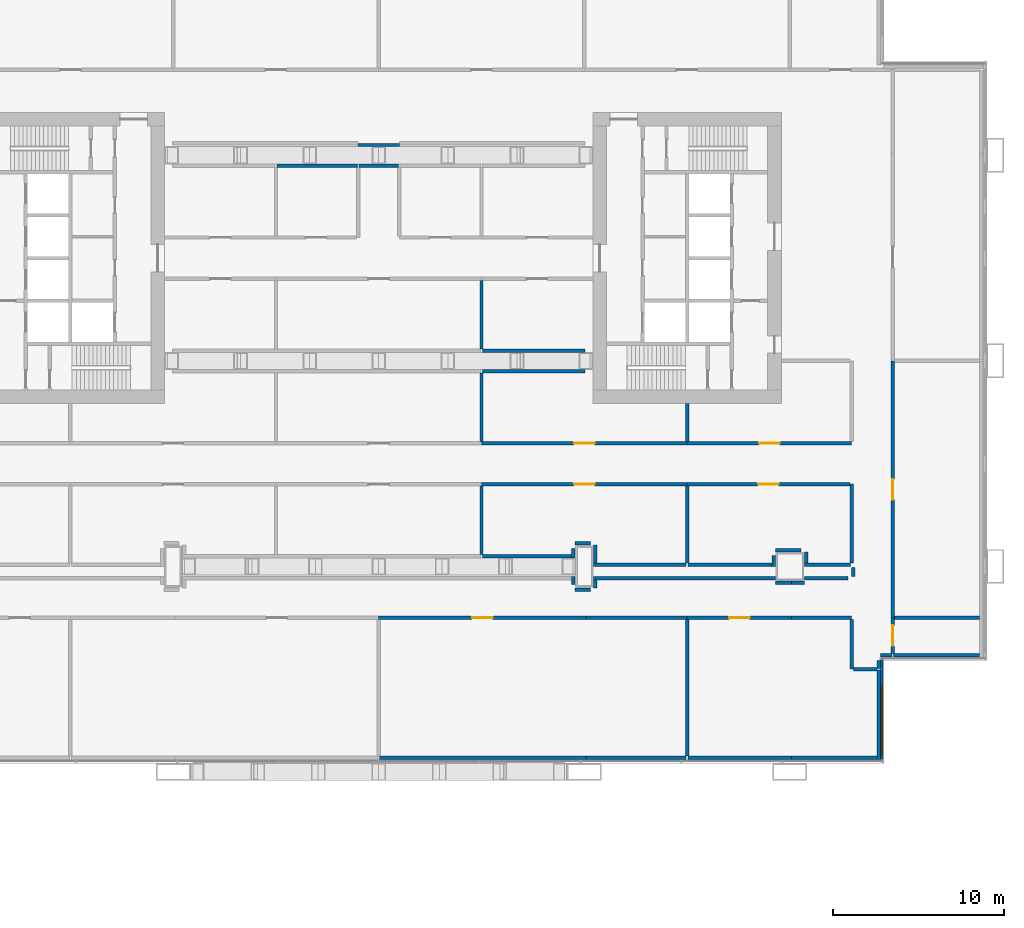
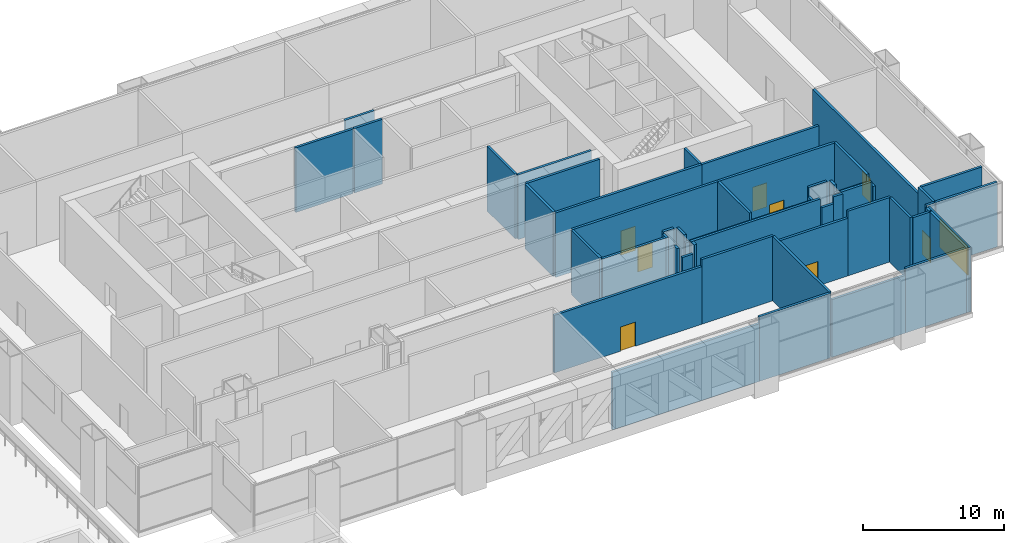
# One storey, part 23 of 27: 52 walls, 8 doors, 1 window, 9 openings.
"""IFC4 building model written with IfcOpenShell, lengths in metres."""

from ifc_helpers import new_model, si_unit, direction, frame, frame_2d, origin, place, context, subcontext, project, spatial, rectangle, extrude, material, layer, layer_set, type_object, element, fill, save


model = new_model("IFC4")

# Units and contexts
model_context = context("Model", 3, precision=1e-05, world=origin(), true_north=direction((0.0, 1.0)))
body_context = subcontext(model_context, "Body", "Model", "MODEL_VIEW")
ifc_project = project(units=[si_unit("LENGTHUNIT", "METRE"), si_unit("AREAUNIT", "SQUARE_METRE"), si_unit("VOLUMEUNIT", "CUBIC_METRE"), si_unit("PLANEANGLEUNIT", "RADIAN"), si_unit("MASSUNIT", "GRAM", prefix="KILO")], contexts=[model_context])

# Site, building, storey
site_placement = place(None, origin())
site = spatial("IfcSite", under=ifc_project, at=site_placement, CompositionType="ELEMENT")
building_placement = place(site_placement, origin())
building = spatial("IfcBuilding", under=site, at=building_placement, Name="Kitamizu Gate Tower and Museum", CompositionType="ELEMENT")
storey_placement = place(building_placement, frame((0.0, 0.0, 24.0)))
storey = spatial("IfcBuildingStorey", under=building, at=storey_placement, Name="L04", CompositionType="ELEMENT", Elevation=24.0)

# Wall, opening, door
ifc_material_1 = material(Name="Gypsum board on galvanised stud")
ifc_layer_1 = layer(ifc_material_1, 0.199951171875)
ifc_layer_set_1 = layer_set([ifc_layer_1], Name="Gypsum board on galvanised stud")
wall_type_1 = type_object("IfcWallType", Name="Partition 200", PredefinedType="PARTITIONING", material=ifc_layer_set_1)
wall_1_placement = place(storey_placement, frame((66.0, 9.0, 0.0), z_axis=(0.0, 0.0, 1.0), x_axis=(0.0, 1.0, 0.0)))
wall_1 = element("IfcWall", 1, at=wall_1_placement, inside=storey, type_object=wall_type_1, Name="Partition L04-003", PredefinedType="PARTITIONING", context=body_context, shape_type="SweptSolid", body=[
    extrude(rectangle(XDim=15.0, YDim=0.199951171875, at=frame_2d((7.5, 0.0))), origin(), (0.0, 0.0, 1.0), 5.0),
])
opening_1_placement = place(wall_1_placement, frame((6.89990234375, 0.0, 0.0)))
opening_1 = element("IfcOpeningElement", 2, at=opening_1_placement, cuts=wall_1, Name="Opening L04-002", PredefinedType="OPENING", context=body_context, shape_type="SweptSolid", body=[
    extrude(rectangle(XDim=1.199951171875, YDim=2.10009765625, at=frame_2d((0.60009765625, 1.050048828125))), frame((0.0, 0.10986328125, 0.0), z_axis=(0.0, -1.0, 0.0), x_axis=(1.0, 0.0, 0.0)), (0.0, 0.0, 1.0), 0.219970703125),
])
ifc_material_2 = material(Name="Timber door set", Category="wood")
door_type = type_object("IfcDoorType", Name="Plant room door 1200", OperationType="DOUBLE_DOOR_SINGLE_SWING", PredefinedType="DOOR", material=ifc_material_2)
door_1_placement = place(opening_1_placement, origin())
door_1 = element("IfcDoor", 3, at=door_1_placement, inside=storey, type_object=door_type, Name="Plant room door L04-002", OperationType="DOUBLE_DOOR_SINGLE_SWING", OverallHeight=2.10009765625, OverallWidth=1.199951171875, PredefinedType="DOOR", context=body_context, shape_type="SweptSolid", body=[
    extrude(rectangle(XDim=1.199951171875, YDim=2.10009765625, at=frame_2d((0.60009765625, 1.050048828125))), frame((0.0, 0.02490234375, 0.0), z_axis=(0.0, -1.0, 0.0), x_axis=(1.0, 0.0, 0.0)), (0.0, 0.0, 1.0), 0.050048828125),
])
fill(opening_1, door_1)

wall_2_placement = place(storey_placement, frame((36.0, 9.0, 0.0), z_axis=(0.0, 0.0, 1.0), x_axis=(1.0, 0.0, 0.0)))
wall_2 = element("IfcWall", 4, at=wall_2_placement, inside=storey, type_object=wall_type_1, Name="Partition L04-014", PredefinedType="PARTITIONING", context=body_context, shape_type="SweptSolid", body=[
    extrude(rectangle(XDim=12.10009765625, YDim=0.199951171875, at=frame_2d((6.050048828125, 0.0))), origin(), (0.0, 0.0, 1.0), 5.0),
])
opening_2_placement = place(wall_2_placement, frame((5.449951171875, 0.0, 0.0)))
opening_2 = element("IfcOpeningElement", 5, at=opening_2_placement, cuts=wall_2, Name="Opening L04-008", PredefinedType="OPENING", context=body_context, shape_type="SweptSolid", body=[
    extrude(rectangle(XDim=1.199951171875, YDim=2.10009765625, at=frame_2d((0.60009765625, 1.050048828125))), frame((0.0, 0.10986328125, 0.0), z_axis=(0.0, -1.0, 0.0), x_axis=(1.0, 0.0, 0.0)), (0.0, 0.0, 1.0), 0.219970703125),
])
door_2_placement = place(opening_2_placement, origin())
door_2 = element("IfcDoor", 6, at=door_2_placement, inside=storey, type_object=door_type, Name="Plant room door L04-008", OperationType="DOUBLE_DOOR_SINGLE_SWING", OverallHeight=2.10009765625, OverallWidth=1.199951171875, PredefinedType="DOOR", context=body_context, shape_type="SweptSolid", body=[
    extrude(rectangle(XDim=1.199951171875, YDim=2.10009765625, at=frame_2d((0.60009765625, 1.050048828125))), frame((0.0, 0.02490234375, 0.0), z_axis=(0.0, -1.0, 0.0), x_axis=(1.0, 0.0, 0.0)), (0.0, 0.0, 1.0), 0.050048828125),
])
fill(opening_2, door_2)

# Wall
wall_3_placement = place(storey_placement, frame((48.10009765625, 9.0, 0.0), z_axis=(0.0, 0.0, 1.0), x_axis=(1.0, 0.0, 0.0)))
element("IfcWall", 7, at=wall_3_placement, inside=storey, type_object=wall_type_1, Name="Partition L04-015", PredefinedType="PARTITIONING", context=body_context, shape_type="SweptSolid", body=[
    extrude(rectangle(XDim=5.89990234375, YDim=0.199951171875, at=frame_2d((2.949951171875, 0.0))), origin(), (0.0, 0.0, 1.0), 5.60009765625),
])

# Wall, opening, door
wall_4_placement = place(storey_placement, frame((54.0, 9.0, 0.0), z_axis=(0.0, 0.0, 1.0), x_axis=(1.0, 0.0, 0.0)))
wall_4 = element("IfcWall", 8, at=wall_4_placement, inside=storey, type_object=wall_type_1, Name="Partition L04-016", PredefinedType="PARTITIONING", context=body_context, shape_type="SweptSolid", body=[
    extrude(rectangle(XDim=6.10009765625, YDim=0.199951171875, at=frame_2d((3.050048828125, 0.0))), origin(), (0.0, 0.0, 1.0), 5.0),
])
opening_3_placement = place(wall_4_placement, frame((2.449951171875, 0.0, 0.0)))
opening_3 = element("IfcOpeningElement", 9, at=opening_3_placement, cuts=wall_4, Name="Opening L04-009", PredefinedType="OPENING", context=body_context, shape_type="SweptSolid", body=[
    extrude(rectangle(XDim=1.199951171875, YDim=2.10009765625, at=frame_2d((0.60009765625, 1.050048828125))), frame((0.0, 0.10986328125, 0.0), z_axis=(0.0, -1.0, 0.0), x_axis=(1.0, 0.0, 0.0)), (0.0, 0.0, 1.0), 0.219970703125),
])
door_3_placement = place(opening_3_placement, origin())
door_3 = element("IfcDoor", 10, at=door_3_placement, inside=storey, type_object=door_type, Name="Plant room door L04-009", OperationType="DOUBLE_DOOR_SINGLE_SWING", OverallHeight=2.10009765625, OverallWidth=1.199951171875, PredefinedType="DOOR", context=body_context, shape_type="SweptSolid", body=[
    extrude(rectangle(XDim=1.199951171875, YDim=2.10009765625, at=frame_2d((0.60009765625, 1.050048828125))), frame((0.0, 0.02490234375, 0.0), z_axis=(0.0, -1.0, 0.0), x_axis=(1.0, 0.0, 0.0)), (0.0, 0.0, 1.0), 0.050048828125),
])
fill(opening_3, door_3)

# Walls
wall_5_placement = place(storey_placement, frame((60.10009765625, 9.0, 0.0), z_axis=(0.0, 0.0, 1.0), x_axis=(1.0, 0.0, 0.0)))
element("IfcWall", 11, at=wall_5_placement, inside=storey, type_object=wall_type_1, Name="Partition L04-017", PredefinedType="PARTITIONING", context=body_context, shape_type="SweptSolid", body=[
    extrude(rectangle(XDim=3.5, YDim=0.199951171875, at=frame_2d((1.75, 0.0))), origin(), (0.0, 0.0, 1.0), 5.60009765625),
])
wall_6_placement = place(storey_placement, frame((63.60009765625, 8.89990234375, 0.0), z_axis=(0.0, 0.0, 1.0), x_axis=(0.0, -1.0, 0.0)))
element("IfcWall", 12, at=wall_6_placement, inside=storey, type_object=wall_type_1, Name="Partition L04-018", PredefinedType="PARTITIONING", context=body_context, shape_type="SweptSolid", body=[
    extrude(rectangle(XDim=2.89990234375, YDim=0.199951171875, at=frame_2d((1.449951171875, 0.0))), origin(), (0.0, 0.0, 1.0), 5.60009765625),
])
wall_7_placement = place(storey_placement, frame((63.699951171875, 6.0, 0.0), z_axis=(0.0, 0.0, 1.0), x_axis=(1.0, 0.0, 0.0)))
element("IfcWall", 13, at=wall_7_placement, inside=storey, type_object=wall_type_1, Name="Partition L04-019", PredefinedType="PARTITIONING", context=body_context, shape_type="SweptSolid", body=[
    extrude(rectangle(XDim=1.380126953125, YDim=0.199951171875, at=frame_2d((0.68994140625, 0.0))), origin(), (0.0, 0.0, 1.0), 5.60009765625),
])

# Wall, opening, door
wall_8_placement = place(storey_placement, frame((66.0, 6.919921875, 0.0), z_axis=(0.0, 0.0, 1.0), x_axis=(0.0, 1.0, 0.0)))
wall_8 = element("IfcWall", 14, at=wall_8_placement, inside=storey, type_object=wall_type_1, Name="Partition L04-020", PredefinedType="PARTITIONING", context=body_context, shape_type="SweptSolid", body=[
    extrude(rectangle(XDim=2.080078125, YDim=0.199951171875, at=frame_2d((1.0400390625, 0.0))), origin(), (0.0, 0.0, 1.0), 5.60009765625),
])
opening_4_placement = place(wall_8_placement, frame((0.43994140625, 0.0, 0.0)))
opening_4 = element("IfcOpeningElement", 15, at=opening_4_placement, cuts=wall_8, Name="Opening L04-010", PredefinedType="OPENING", context=body_context, shape_type="SweptSolid", body=[
    extrude(rectangle(XDim=1.199951171875, YDim=2.10009765625, at=frame_2d((0.60009765625, 1.050048828125))), frame((0.0, 0.10986328125, 0.0), z_axis=(0.0, -1.0, 0.0), x_axis=(1.0, 0.0, 0.0)), (0.0, 0.0, 1.0), 0.219970703125),
])
door_4_placement = place(opening_4_placement, origin())
door_4 = element("IfcDoor", 16, at=door_4_placement, inside=storey, type_object=door_type, Name="Plant room door L04-010", OperationType="DOUBLE_DOOR_SINGLE_SWING", OverallHeight=2.10009765625, OverallWidth=1.199951171875, PredefinedType="DOOR", context=body_context, shape_type="SweptSolid", body=[
    extrude(rectangle(XDim=1.199951171875, YDim=2.10009765625, at=frame_2d((0.60009765625, 1.050048828125))), frame((0.0, 0.02490234375, 0.0), z_axis=(0.0, -1.0, 0.0), x_axis=(1.0, 0.0, 0.0)), (0.0, 0.0, 1.0), 0.050048828125),
])
fill(opening_4, door_4)

wall_9_placement = place(storey_placement, frame((54.0, 16.800048828125, 0.0), z_axis=(0.0, 0.0, 1.0), x_axis=(-1.0, 0.0, 0.0)))
wall_9 = element("IfcWall", 17, at=wall_9_placement, inside=storey, type_object=wall_type_1, Name="Partition L04-025", PredefinedType="PARTITIONING", context=body_context, shape_type="SweptSolid", body=[
    extrude(rectangle(XDim=12.0, YDim=0.199951171875, at=frame_2d((6.0, 0.0))), origin(), (0.0, 0.0, 1.0), 5.60009765625),
])
opening_5_placement = place(wall_9_placement, frame((5.39990234375, 0.0, 0.0)))
opening_5 = element("IfcOpeningElement", 18, at=opening_5_placement, cuts=wall_9, Name="Opening L04-014", PredefinedType="OPENING", context=body_context, shape_type="SweptSolid", body=[
    extrude(rectangle(XDim=1.199951171875, YDim=2.10009765625, at=frame_2d((0.60009765625, 1.050048828125))), frame((0.0, 0.10986328125, 0.0), z_axis=(0.0, -1.0, 0.0), x_axis=(1.0, 0.0, 0.0)), (0.0, 0.0, 1.0), 0.219970703125),
])
door_5_placement = place(opening_5_placement, origin())
door_5 = element("IfcDoor", 19, at=door_5_placement, inside=storey, type_object=door_type, Name="Plant room door L04-014", OperationType="DOUBLE_DOOR_SINGLE_SWING", OverallHeight=2.10009765625, OverallWidth=1.199951171875, PredefinedType="DOOR", context=body_context, shape_type="SweptSolid", body=[
    extrude(rectangle(XDim=1.199951171875, YDim=2.10009765625, at=frame_2d((0.60009765625, 1.050048828125))), frame((0.0, 0.02490234375, 0.0), z_axis=(0.0, -1.0, 0.0), x_axis=(1.0, 0.0, 0.0)), (0.0, 0.0, 1.0), 0.050048828125),
])
fill(opening_5, door_5)

# Wall
wall_10_placement = place(storey_placement, frame((63.60009765625, 12.199951171875, 0.0), z_axis=(0.0, 0.0, 1.0), x_axis=(0.0, 1.0, 0.0)))
element("IfcWall", 20, at=wall_10_placement, inside=storey, type_object=wall_type_1, Name="Partition L04-026", PredefinedType="PARTITIONING", context=body_context, shape_type="SweptSolid", body=[
    extrude(rectangle(XDim=4.60009765625, YDim=0.199951171875, at=frame_2d((2.300048828125, 0.0))), origin(), (0.0, 0.0, 1.0), 5.60009765625),
])

# Wall, opening, door
wall_11_placement = place(storey_placement, frame((63.5, 16.800048828125, 0.0), z_axis=(0.0, 0.0, 1.0), x_axis=(-1.0, 0.0, 0.0)))
wall_11 = element("IfcWall", 21, at=wall_11_placement, inside=storey, type_object=wall_type_1, Name="Partition L04-027", PredefinedType="PARTITIONING", context=body_context, shape_type="SweptSolid", body=[
    extrude(rectangle(XDim=9.5, YDim=0.199951171875, at=frame_2d((4.75, 0.0))), origin(), (0.0, 0.0, 1.0), 5.60009765625),
])
opening_6_placement = place(wall_11_placement, frame((4.14990234375, 0.0, 0.0)))
opening_6 = element("IfcOpeningElement", 22, at=opening_6_placement, cuts=wall_11, Name="Opening L04-015", PredefinedType="OPENING", context=body_context, shape_type="SweptSolid", body=[
    extrude(rectangle(XDim=1.199951171875, YDim=2.10009765625, at=frame_2d((0.60009765625, 1.050048828125))), frame((0.0, 0.10986328125, 0.0), z_axis=(0.0, -1.0, 0.0), x_axis=(1.0, 0.0, 0.0)), (0.0, 0.0, 1.0), 0.219970703125),
])
door_6_placement = place(opening_6_placement, origin())
door_6 = element("IfcDoor", 23, at=door_6_placement, inside=storey, type_object=door_type, Name="Plant room door L04-015", OperationType="DOUBLE_DOOR_SINGLE_SWING", OverallHeight=2.10009765625, OverallWidth=1.199951171875, PredefinedType="DOOR", context=body_context, shape_type="SweptSolid", body=[
    extrude(rectangle(XDim=1.199951171875, YDim=2.10009765625, at=frame_2d((0.60009765625, 1.050048828125))), frame((0.0, 0.02490234375, 0.0), z_axis=(0.0, -1.0, 0.0), x_axis=(1.0, 0.0, 0.0)), (0.0, 0.0, 1.0), 0.050048828125),
])
fill(opening_6, door_6)

wall_12_placement = place(storey_placement, frame((42.0, 19.199951171875, 0.0), z_axis=(0.0, 0.0, 1.0), x_axis=(1.0, 0.0, 0.0)))
wall_12 = element("IfcWall", 24, at=wall_12_placement, inside=storey, type_object=wall_type_1, Name="Partition L04-033", PredefinedType="PARTITIONING", context=body_context, shape_type="SweptSolid", body=[
    extrude(rectangle(XDim=12.0, YDim=0.199951171875, at=frame_2d((6.0, 0.0))), origin(), (0.0, 0.0, 1.0), 5.60009765625),
])
opening_7_placement = place(wall_12_placement, frame((5.39990234375, 0.0, 0.0)))
opening_7 = element("IfcOpeningElement", 25, at=opening_7_placement, cuts=wall_12, Name="Opening L04-019", PredefinedType="OPENING", context=body_context, shape_type="SweptSolid", body=[
    extrude(rectangle(XDim=1.199951171875, YDim=2.10009765625, at=frame_2d((0.60009765625, 1.050048828125))), frame((0.0, 0.10986328125, 0.0), z_axis=(0.0, -1.0, 0.0), x_axis=(1.0, 0.0, 0.0)), (0.0, 0.0, 1.0), 0.219970703125),
])
door_7_placement = place(opening_7_placement, origin())
door_7 = element("IfcDoor", 26, at=door_7_placement, inside=storey, type_object=door_type, Name="Plant room door L04-019", OperationType="DOUBLE_DOOR_SINGLE_SWING", OverallHeight=2.10009765625, OverallWidth=1.199951171875, PredefinedType="DOOR", context=body_context, shape_type="SweptSolid", body=[
    extrude(rectangle(XDim=1.199951171875, YDim=2.10009765625, at=frame_2d((0.60009765625, 1.050048828125))), frame((0.0, 0.02490234375, 0.0), z_axis=(0.0, -1.0, 0.0), x_axis=(1.0, 0.0, 0.0)), (0.0, 0.0, 1.0), 0.050048828125),
])
fill(opening_7, door_7)

wall_13_placement = place(storey_placement, frame((54.0, 19.199951171875, 0.0), z_axis=(0.0, 0.0, 1.0), x_axis=(1.0, 0.0, 0.0)))
wall_13 = element("IfcWall", 27, at=wall_13_placement, inside=storey, type_object=wall_type_1, Name="Partition L04-034", PredefinedType="PARTITIONING", context=body_context, shape_type="SweptSolid", body=[
    extrude(rectangle(XDim=9.60009765625, YDim=0.199951171875, at=frame_2d((4.800048828125, 0.0))), origin(), (0.0, 0.0, 1.0), 5.60009765625),
])
opening_8_placement = place(wall_13_placement, frame((4.199951171875, 0.0, 0.0)))
opening_8 = element("IfcOpeningElement", 28, at=opening_8_placement, cuts=wall_13, Name="Opening L04-020", PredefinedType="OPENING", context=body_context, shape_type="SweptSolid", body=[
    extrude(rectangle(XDim=1.199951171875, YDim=2.10009765625, at=frame_2d((0.60009765625, 1.050048828125))), frame((0.0, 0.10986328125, 0.0), z_axis=(0.0, -1.0, 0.0), x_axis=(1.0, 0.0, 0.0)), (0.0, 0.0, 1.0), 0.219970703125),
])
door_8_placement = place(opening_8_placement, origin())
door_8 = element("IfcDoor", 29, at=door_8_placement, inside=storey, type_object=door_type, Name="Plant room door L04-020", OperationType="DOUBLE_DOOR_SINGLE_SWING", OverallHeight=2.10009765625, OverallWidth=1.199951171875, PredefinedType="DOOR", context=body_context, shape_type="SweptSolid", body=[
    extrude(rectangle(XDim=1.199951171875, YDim=2.10009765625, at=frame_2d((0.60009765625, 1.050048828125))), frame((0.0, 0.02490234375, 0.0), z_axis=(0.0, -1.0, 0.0), x_axis=(1.0, 0.0, 0.0)), (0.0, 0.0, 1.0), 0.050048828125),
])
fill(opening_8, door_8)

# Walls
wall_14_placement = place(storey_placement, frame((66.10009765625, 9.0, 0.0), z_axis=(0.0, 0.0, 1.0), x_axis=(1.0, 0.0, 0.0)))
element("IfcWall", 30, at=wall_14_placement, inside=storey, type_object=wall_type_1, Name="Partition L04-055", PredefinedType="PARTITIONING", context=body_context, shape_type="SweptSolid", body=[
    extrude(rectangle(XDim=4.97998046875, YDim=0.199951171875, at=frame_2d((2.489990234375, 0.0))), origin(), (0.0, 0.0, 1.0), 5.60009765625),
])
wall_15_placement = place(storey_placement, frame((54.0, 0.919921875, 0.0), z_axis=(0.0, 0.0, 1.0), x_axis=(0.0, 1.0, 0.0)))
element("IfcWall", 31, at=wall_15_placement, inside=storey, type_object=wall_type_1, Name="Partition L04-060", PredefinedType="PARTITIONING", context=body_context, shape_type="SweptSolid", body=[
    extrude(rectangle(XDim=7.97998046875, YDim=0.199951171875, at=frame_2d((3.989990234375, 0.0))), origin(), (0.0, 0.0, 1.0), 5.60009765625),
])
wall_16_placement = place(storey_placement, frame((42.0, 12.699951171875, 0.0), z_axis=(0.0, 0.0, 1.0), x_axis=(0.0, 1.0, 0.0)))
element("IfcWall", 32, at=wall_16_placement, inside=storey, type_object=wall_type_1, Name="Partition L04-063", PredefinedType="PARTITIONING", context=body_context, shape_type="SweptSolid", body=[
    extrude(rectangle(XDim=4.0, YDim=0.199951171875, at=frame_2d((2.0, 0.0))), origin(), (0.0, 0.0, 1.0), 5.60009765625),
])
wall_17_placement = place(storey_placement, frame((54.0, 12.199951171875, 0.0), z_axis=(0.0, 0.0, 1.0), x_axis=(0.0, 1.0, 0.0)))
element("IfcWall", 33, at=wall_17_placement, inside=storey, type_object=wall_type_1, Name="Partition L04-064", PredefinedType="PARTITIONING", context=body_context, shape_type="SweptSolid", body=[
    extrude(rectangle(XDim=4.5, YDim=0.199951171875, at=frame_2d((2.25, 0.0))), origin(), (0.0, 0.0, 1.0), 5.60009765625),
])
wall_18_placement = place(storey_placement, frame((42.0, 19.300048828125, 0.0), z_axis=(0.0, 0.0, 1.0), x_axis=(0.0, 1.0, 0.0)))
element("IfcWall", 34, at=wall_18_placement, inside=storey, type_object=wall_type_1, Name="Partition L04-067", PredefinedType="PARTITIONING", context=body_context, shape_type="SweptSolid", body=[
    extrude(rectangle(XDim=4.0, YDim=0.199951171875, at=frame_2d((2.0, 0.0))), origin(), (0.0, 0.0, 1.0), 5.60009765625),
])
wall_19_placement = place(storey_placement, frame((54.0, 19.300048828125, 0.0), z_axis=(0.0, 0.0, 1.0), x_axis=(0.0, 1.0, 0.0)))
element("IfcWall", 35, at=wall_19_placement, inside=storey, type_object=wall_type_1, Name="Partition L04-068", PredefinedType="PARTITIONING", context=body_context, shape_type="SweptSolid", body=[
    extrude(rectangle(XDim=2.199951171875, YDim=0.199951171875, at=frame_2d((1.10009765625, 0.0))), origin(), (0.0, 0.0, 1.0), 5.60009765625),
])
wall_20_placement = place(storey_placement, frame((42.0, 24.699951171875, 0.0), z_axis=(0.0, 0.0, 1.0), x_axis=(0.0, 1.0, 0.0)))
element("IfcWall", 36, at=wall_20_placement, inside=storey, type_object=wall_type_1, Name="Partition L04-070", PredefinedType="PARTITIONING", context=body_context, shape_type="SweptSolid", body=[
    extrude(rectangle(XDim=4.0, YDim=0.199951171875, at=frame_2d((2.0, 0.0))), origin(), (0.0, 0.0, 1.0), 5.60009765625),
])
wall_21_placement = place(storey_placement, frame((65.179931640625, 6.050048828125, 0.0), z_axis=(0.0, 0.0, 1.0), x_axis=(0.0, 1.0, 0.0)))
element("IfcWall", 37, at=wall_21_placement, inside=storey, type_object=wall_type_1, Name="Partition L04-078", PredefinedType="PARTITIONING", context=body_context, shape_type="SweptSolid", body=[
    extrude(rectangle(XDim=0.469970703125, YDim=0.199951171875, at=frame_2d((0.23486328125, 0.0))), origin(), (0.0, 0.0, 1.0), 5.60009765625),
])
wall_22_placement = place(storey_placement, frame((65.280029296875, 6.820068359375, 0.0), z_axis=(0.0, 0.0, 1.0), x_axis=(1.0, 0.0, 0.0)))
element("IfcWall", 38, at=wall_22_placement, inside=storey, type_object=wall_type_1, Name="Partition L04-078", PredefinedType="PARTITIONING", context=body_context, shape_type="SweptSolid", body=[
    extrude(rectangle(XDim=0.669921875, YDim=0.199951171875, at=frame_2d((0.3349609375, 0.0))), origin(), (0.0, 0.0, 1.0), 5.60009765625),
])
wall_23_placement = place(storey_placement, frame((47.35009765625, 11.39990234375, 0.0), z_axis=(0.0, 0.0, 1.0), x_axis=(0.0, -1.0, 0.0)))
element("IfcWall", 39, at=wall_23_placement, inside=storey, type_object=wall_type_1, Name="Partition L04-078", PredefinedType="PARTITIONING", context=body_context, shape_type="SweptSolid", body=[
    extrude(rectangle(XDim=0.449951171875, YDim=0.199951171875, at=frame_2d((0.22509765625, 0.0))), origin(), (0.0, 0.0, 1.0), 5.60009765625),
])
wall_24_placement = place(storey_placement, frame((47.449951171875, 10.64990234375, 0.0), z_axis=(0.0, 0.0, 1.0), x_axis=(1.0, 0.0, 0.0)))
element("IfcWall", 40, at=wall_24_placement, inside=storey, type_object=wall_type_1, Name="Partition L04-078", PredefinedType="PARTITIONING", context=body_context, shape_type="SweptSolid", body=[
    extrude(rectangle(XDim=0.900146484375, YDim=0.199951171875, at=frame_2d((0.4501953125, 0.0))), origin(), (0.0, 0.0, 1.0), 5.0),
])
wall_25_placement = place(storey_placement, frame((48.64990234375, 10.75, 0.0), z_axis=(0.0, 0.0, 1.0), x_axis=(0.0, 1.0, 0.0)))
element("IfcWall", 41, at=wall_25_placement, inside=storey, type_object=wall_type_1, Name="Partition L04-078", PredefinedType="PARTITIONING", context=body_context, shape_type="SweptSolid", body=[
    extrude(rectangle(XDim=0.449951171875, YDim=0.199951171875, at=frame_2d((0.22509765625, 0.0))), origin(), (0.0, 0.0, 1.0), 5.60009765625),
])
wall_26_placement = place(storey_placement, frame((48.550048828125, 11.300048828125, 0.0), z_axis=(0.0, 0.0, 1.0), x_axis=(1.0, 0.0, 0.0)))
element("IfcWall", 42, at=wall_26_placement, inside=storey, type_object=wall_type_1, Name="Partition L04-078", PredefinedType="PARTITIONING", context=body_context, shape_type="SweptSolid", body=[
    extrude(rectangle(XDim=10.599853515625, YDim=0.199951171875, at=frame_2d((5.2998046875, 0.0))), origin(), (0.0, 0.0, 1.0), 5.60009765625),
])
wall_27_placement = place(storey_placement, frame((59.14990234375, 11.050048828125, 0.0), z_axis=(0.0, 0.0, 1.0), x_axis=(1.0, 0.0, 0.0)))
element("IfcWall", 43, at=wall_27_placement, inside=storey, type_object=wall_type_1, Name="Partition L04-078", PredefinedType="PARTITIONING", context=body_context, shape_type="SweptSolid", body=[
    extrude(rectangle(XDim=0.9501953125, YDim=0.199951171875, at=frame_2d((0.47509765625, 0.0))), origin(), (0.0, 0.0, 1.0), 5.0),
])
wall_28_placement = place(storey_placement, frame((60.10009765625, 11.050048828125, 0.0), z_axis=(0.0, 0.0, 1.0), x_axis=(1.0, 0.0, 0.0)))
element("IfcWall", 44, at=wall_28_placement, inside=storey, type_object=wall_type_1, Name="Partition L04-078", PredefinedType="PARTITIONING", context=body_context, shape_type="SweptSolid", body=[
    extrude(rectangle(XDim=0.75, YDim=0.199951171875, at=frame_2d((0.375, 0.0))), origin(), (0.0, 0.0, 1.0), 5.60009765625),
])
wall_29_placement = place(storey_placement, frame((60.85009765625, 11.300048828125, 0.0), z_axis=(0.0, 0.0, 1.0), x_axis=(1.0, 0.0, 0.0)))
element("IfcWall", 45, at=wall_29_placement, inside=storey, type_object=wall_type_1, Name="Partition L04-078", PredefinedType="PARTITIONING", context=body_context, shape_type="SweptSolid", body=[
    extrude(rectangle(XDim=2.5498046875, YDim=0.199951171875, at=frame_2d((1.27490234375, 0.0))), origin(), (0.0, 0.0, 1.0), 5.60009765625),
])
wall_30_placement = place(storey_placement, frame((63.699951171875, 11.39990234375, 0.0), z_axis=(0.0, 0.0, 1.0), x_axis=(0.0, 1.0, 0.0)))
element("IfcWall", 46, at=wall_30_placement, inside=storey, type_object=wall_type_1, Name="Partition L04-078", PredefinedType="PARTITIONING", context=body_context, shape_type="SweptSolid", body=[
    extrude(rectangle(XDim=0.550048828125, YDim=0.199951171875, at=frame_2d((0.27490234375, 0.0))), origin(), (0.0, 0.0, 1.0), 5.0),
])
wall_31_placement = place(storey_placement, frame((37.199951171875, 36.60009765625, 0.0), z_axis=(0.0, 0.0, 1.0), x_axis=(-1.0, 0.0, 0.0)))
element("IfcWall", 47, at=wall_31_placement, inside=storey, type_object=wall_type_1, Name="Partition L04-078", PredefinedType="PARTITIONING", context=body_context, shape_type="SweptSolid", body=[
    extrude(rectangle(XDim=2.39990234375, YDim=0.199951171875, at=frame_2d((1.199951171875, 0.0))), origin(), (0.0, 0.0, 1.0), 5.60009765625),
])
wall_32_placement = place(storey_placement, frame((37.14990234375, 35.39990234375, 0.0), z_axis=(0.0, 0.0, 1.0), x_axis=(-1.0, 0.0, 0.0)))
element("IfcWall", 48, at=wall_32_placement, inside=storey, type_object=wall_type_1, Name="Partition L04-078", PredefinedType="PARTITIONING", context=body_context, shape_type="SweptSolid", body=[
    extrude(rectangle(XDim=2.2998046875, YDim=0.199951171875, at=frame_2d((1.14990234375, 0.0))), origin(), (0.0, 0.0, 1.0), 5.60009765625),
])
wall_33_placement = place(storey_placement, frame((36.050048828125, 0.820068359375, 0.0), z_axis=(0.0, 0.0, 1.0), x_axis=(1.0, 0.0, 0.0)))
element("IfcWall", 49, at=wall_33_placement, inside=storey, type_object=wall_type_1, Name="Partition L04-078", PredefinedType="PARTITIONING", context=body_context, shape_type="SweptSolid", body=[
    extrude(rectangle(XDim=12.050048828125, YDim=0.199951171875, at=frame_2d((6.02490234375, 0.0))), origin(), (0.0, 0.0, 1.0), 5.0),
])
wall_34_placement = place(storey_placement, frame((48.10009765625, 0.820068359375, 0.0), z_axis=(0.0, 0.0, 1.0), x_axis=(1.0, 0.0, 0.0)))
element("IfcWall", 50, at=wall_34_placement, inside=storey, type_object=wall_type_1, Name="Partition L04-078", PredefinedType="PARTITIONING", context=body_context, shape_type="SweptSolid", body=[
    extrude(rectangle(XDim=5.849853515625, YDim=0.199951171875, at=frame_2d((2.9248046875, 0.0))), origin(), (0.0, 0.0, 1.0), 5.60009765625),
])
wall_35_placement = place(storey_placement, frame((54.050048828125, 0.820068359375, 0.0), z_axis=(0.0, 0.0, 1.0), x_axis=(1.0, 0.0, 0.0)))
element("IfcWall", 51, at=wall_35_placement, inside=storey, type_object=wall_type_1, Name="Partition L04-078", PredefinedType="PARTITIONING", context=body_context, shape_type="SweptSolid", body=[
    extrude(rectangle(XDim=6.050048828125, YDim=0.199951171875, at=frame_2d((3.02490234375, 0.0))), origin(), (0.0, 0.0, 1.0), 5.0),
])
wall_36_placement = place(storey_placement, frame((60.10009765625, 0.820068359375, 0.0), z_axis=(0.0, 0.0, 1.0), x_axis=(1.0, 0.0, 0.0)))
element("IfcWall", 52, at=wall_36_placement, inside=storey, type_object=wall_type_1, Name="Partition L04-078", PredefinedType="PARTITIONING", context=body_context, shape_type="SweptSolid", body=[
    extrude(rectangle(XDim=4.97998046875, YDim=0.199951171875, at=frame_2d((2.489990234375, 0.0))), origin(), (0.0, 0.0, 1.0), 5.60009765625),
])
wall_37_placement = place(storey_placement, frame((65.179931640625, 0.719970703125, 0.0), z_axis=(0.0, 0.0, 1.0), x_axis=(0.0, 1.0, 0.0)))
element("IfcWall", 53, at=wall_37_placement, inside=storey, type_object=wall_type_1, Name="Partition L04-078", PredefinedType="PARTITIONING", context=body_context, shape_type="SweptSolid", body=[
    extrude(rectangle(XDim=5.22998046875, YDim=0.199951171875, at=frame_2d((2.614990234375, 0.0))), origin(), (0.0, 0.0, 1.0), 5.60009765625),
])
wall_38_placement = place(storey_placement, frame((66.050048828125, 6.820068359375, 0.0), z_axis=(0.0, 0.0, 1.0), x_axis=(1.0, 0.0, 0.0)))
element("IfcWall", 54, at=wall_38_placement, inside=storey, type_object=wall_type_1, Name="Partition L04-078", PredefinedType="PARTITIONING", context=body_context, shape_type="SweptSolid", body=[
    extrude(rectangle(XDim=5.030029296875, YDim=0.199951171875, at=frame_2d((2.51513671875, 0.0))), origin(), (0.0, 0.0, 1.0), 5.60009765625),
])
wall_39_placement = place(storey_placement, frame((42.050048828125, 12.60009765625, 0.0), z_axis=(0.0, 0.0, 1.0), x_axis=(1.0, 0.0, 0.0)))
element("IfcWall", 55, at=wall_39_placement, inside=storey, type_object=wall_type_1, Name="Partition L04-078", PredefinedType="PARTITIONING", context=body_context, shape_type="SweptSolid", body=[
    extrude(rectangle(XDim=5.199951171875, YDim=0.199951171875, at=frame_2d((2.60009765625, 0.0))), origin(), (0.0, 0.0, 1.0), 5.60009765625),
])
wall_40_placement = place(storey_placement, frame((47.35009765625, 12.5, 0.0), z_axis=(0.0, 0.0, 1.0), x_axis=(0.0, 1.0, 0.0)))
element("IfcWall", 56, at=wall_40_placement, inside=storey, type_object=wall_type_1, Name="Partition L04-078", PredefinedType="PARTITIONING", context=body_context, shape_type="SweptSolid", body=[
    extrude(rectangle(XDim=0.550048828125, YDim=0.199951171875, at=frame_2d((0.27490234375, 0.0))), origin(), (0.0, 0.0, 1.0), 5.60009765625),
])
wall_41_placement = place(storey_placement, frame((47.449951171875, 13.35009765625, 0.0), z_axis=(0.0, 0.0, 1.0), x_axis=(1.0, 0.0, 0.0)))
element("IfcWall", 57, at=wall_41_placement, inside=storey, type_object=wall_type_1, Name="Partition L04-078", PredefinedType="PARTITIONING", context=body_context, shape_type="SweptSolid", body=[
    extrude(rectangle(XDim=0.900146484375, YDim=0.199951171875, at=frame_2d((0.4501953125, 0.0))), origin(), (0.0, 0.0, 1.0), 5.60009765625),
])
wall_42_placement = place(storey_placement, frame((48.64990234375, 13.25, 0.0), z_axis=(0.0, 0.0, 1.0), x_axis=(0.0, -1.0, 0.0)))
element("IfcWall", 58, at=wall_42_placement, inside=storey, type_object=wall_type_1, Name="Partition L04-078", PredefinedType="PARTITIONING", context=body_context, shape_type="SweptSolid", body=[
    extrude(rectangle(XDim=1.050048828125, YDim=0.199951171875, at=frame_2d((0.52490234375, 0.0))), origin(), (0.0, 0.0, 1.0), 5.60009765625),
])
wall_43_placement = place(storey_placement, frame((48.550048828125, 12.10009765625, 0.0), z_axis=(0.0, 0.0, 1.0), x_axis=(1.0, 0.0, 0.0)))
element("IfcWall", 59, at=wall_43_placement, inside=storey, type_object=wall_type_1, Name="Partition L04-078", PredefinedType="PARTITIONING", context=body_context, shape_type="SweptSolid", body=[
    extrude(rectangle(XDim=5.39990234375, YDim=0.199951171875, at=frame_2d((2.699951171875, 0.0))), origin(), (0.0, 0.0, 1.0), 5.0),
])
wall_44_placement = place(storey_placement, frame((54.050048828125, 12.10009765625, 0.0), z_axis=(0.0, 0.0, 1.0), x_axis=(1.0, 0.0, 0.0)))
element("IfcWall", 60, at=wall_44_placement, inside=storey, type_object=wall_type_1, Name="Partition L04-078", PredefinedType="PARTITIONING", context=body_context, shape_type="SweptSolid", body=[
    extrude(rectangle(XDim=4.89990234375, YDim=0.199951171875, at=frame_2d((2.449951171875, 0.0))), origin(), (0.0, 0.0, 1.0), 5.0),
])
wall_45_placement = place(storey_placement, frame((59.050048828125, 12.0, 0.0), z_axis=(0.0, 0.0, 1.0), x_axis=(0.0, 1.0, 0.0)))
element("IfcWall", 61, at=wall_45_placement, inside=storey, type_object=wall_type_1, Name="Partition L04-078", PredefinedType="PARTITIONING", context=body_context, shape_type="SweptSolid", body=[
    extrude(rectangle(XDim=0.64990234375, YDim=0.199951171875, at=frame_2d((0.324951171875, 0.0))), origin(), (0.0, 0.0, 1.0), 5.0),
])
wall_46_placement = place(storey_placement, frame((59.14990234375, 12.949951171875, 0.0), z_axis=(0.0, 0.0, 1.0), x_axis=(1.0, 0.0, 0.0)))
element("IfcWall", 62, at=wall_46_placement, inside=storey, type_object=wall_type_1, Name="Partition L04-078", PredefinedType="PARTITIONING", context=body_context, shape_type="SweptSolid", body=[
    extrude(rectangle(XDim=1.5, YDim=0.199951171875, at=frame_2d((0.75, 0.0))), origin(), (0.0, 0.0, 1.0), 5.60009765625),
])
wall_47_placement = place(storey_placement, frame((60.949951171875, 12.85009765625, 0.0), z_axis=(0.0, 0.0, 1.0), x_axis=(0.0, -1.0, 0.0)))
element("IfcWall", 63, at=wall_47_placement, inside=storey, type_object=wall_type_1, Name="Partition L04-078", PredefinedType="PARTITIONING", context=body_context, shape_type="SweptSolid", body=[
    extrude(rectangle(XDim=0.650146484375, YDim=0.199951171875, at=frame_2d((0.3251953125, 0.0))), origin(), (0.0, 0.0, 1.0), 5.60009765625),
])
wall_48_placement = place(storey_placement, frame((60.85009765625, 12.10009765625, 0.0), z_axis=(0.0, 0.0, 1.0), x_axis=(1.0, 0.0, 0.0)))
element("IfcWall", 64, at=wall_48_placement, inside=storey, type_object=wall_type_1, Name="Partition L04-078", PredefinedType="PARTITIONING", context=body_context, shape_type="SweptSolid", body=[
    extrude(rectangle(XDim=2.699951171875, YDim=0.199951171875, at=frame_2d((1.35009765625, 0.0))), origin(), (0.0, 0.0, 1.0), 5.0),
])
for number, where, z_axis, x_axis, name in (
    (65, (48.050048828125, 23.39990234375, 0.0), (0.0, 0.0, 1.0), (-1.0, 0.0, 0.0), "Partition L04-078"),
    (66, (42.050048828125, 24.60009765625, 0.0), (0.0, 0.0, 1.0), (1.0, 0.0, 0.0), "Partition L04-078"),
):
    element("IfcWall", number, at=place(storey_placement, frame(where, z_axis=z_axis, x_axis=x_axis)), inside=storey, type_object=wall_type_1, Name=name, PredefinedType="PARTITIONING", context=body_context, shape_type="SweptSolid", body=[
        extrude(rectangle(XDim=6.0, YDim=0.199951171875, at=frame_2d((3.0, 0.0))), origin(), (0.0, 0.0, 1.0), 5.60009765625),
    ])
wall_49_placement = place(storey_placement, frame((34.75, 35.39990234375, 0.0), z_axis=(0.0, 0.0, 1.0), x_axis=(-1.0, 0.0, 0.0)))
element("IfcWall", 67, at=wall_49_placement, inside=storey, type_object=wall_type_1, Name="Partition L04-078", PredefinedType="PARTITIONING", context=body_context, shape_type="SweptSolid", body=[
    extrude(rectangle(XDim=4.699951171875, YDim=0.199951171875, at=frame_2d((2.35009765625, 0.0))), origin(), (0.0, 0.0, 1.0), 5.60009765625),
])

# Wall, opening, window
ifc_material_3 = material(Name="Bronze anodised aluminium frame with insulated spandrel and tinted glass", Category="aluminium")
ifc_layer_2 = layer(ifc_material_3, 0.14990234375)
ifc_layer_set_2 = layer_set([ifc_layer_2], Name="Bronze anodised aluminium frame with insulated spandrel and tinted glass")
wall_type_2 = type_object("IfcWallType", Name="WINDOW WALL 150 BRONZE FRAME EI 60", PredefinedType="ELEMENTEDWALL", material=ifc_layer_set_2)
wall_50_placement = place(storey_placement, frame((65.364990234375, 0.7099609375, 0.0), z_axis=(0.0, 0.0, 1.0), x_axis=(0.0, 1.0, 0.0)))
wall_50 = element("IfcWall", 68, at=wall_50_placement, inside=storey, type_object=wall_type_2, Name="Window wall east L04", PredefinedType="ELEMENTEDWALL", context=body_context, shape_type="SweptSolid", body=[
    extrude(rectangle(XDim=5.85009765625, YDim=0.14990234375, at=frame_2d((2.925048828125, 0.0))), origin(), (0.0, 0.0, 1.0), 5.60009765625),
])
opening_9_placement = place(wall_50_placement, frame((0.2900390625, 0.0, 3.0)))
opening_9 = element("IfcOpeningElement", 69, at=opening_9_placement, cuts=wall_50, Name="Opening W20", PredefinedType="OPENING", context=body_context, shape_type="SweptSolid", body=[
    extrude(rectangle(XDim=4.0, YDim=2.550048828125, at=frame_2d((2.0, 1.27490234375))), frame((0.0, 0.0849609375, 0.0), z_axis=(0.0, -1.0, 0.0), x_axis=(1.0, 0.0, 0.0)), (0.0, 0.0, 1.0), 0.169921875),
])
ifc_material_4 = material(Name="Bronze anodised aluminium frame, tinted triple glazing", Category="aluminium")
window_type = type_object("IfcWindowType", Name="WINDOW 4000 x 2550 SILL 3000", PartitioningType="SINGLE_PANEL", PredefinedType="WINDOW", material=ifc_material_4)
window_placement = place(opening_9_placement, origin())
window = element("IfcWindow", 70, at=window_placement, inside=storey, type_object=window_type, Name="Window W20 L04", OverallHeight=2.550048828125, OverallWidth=4.0, PartitioningType="SINGLE_PANEL", PredefinedType="WINDOW", context=body_context, shape_type="SweptSolid", body=[
    extrude(rectangle(XDim=4.0, YDim=2.550048828125, at=frame_2d((2.0, 1.27490234375))), frame((0.0, 0.030029296875, 0.0), z_axis=(0.0, -1.0, 0.0), x_axis=(1.0, 0.0, 0.0)), (0.0, 0.0, 1.0), 0.06005859375),
])
fill(opening_9, window)

save(model, "model.ifc")
